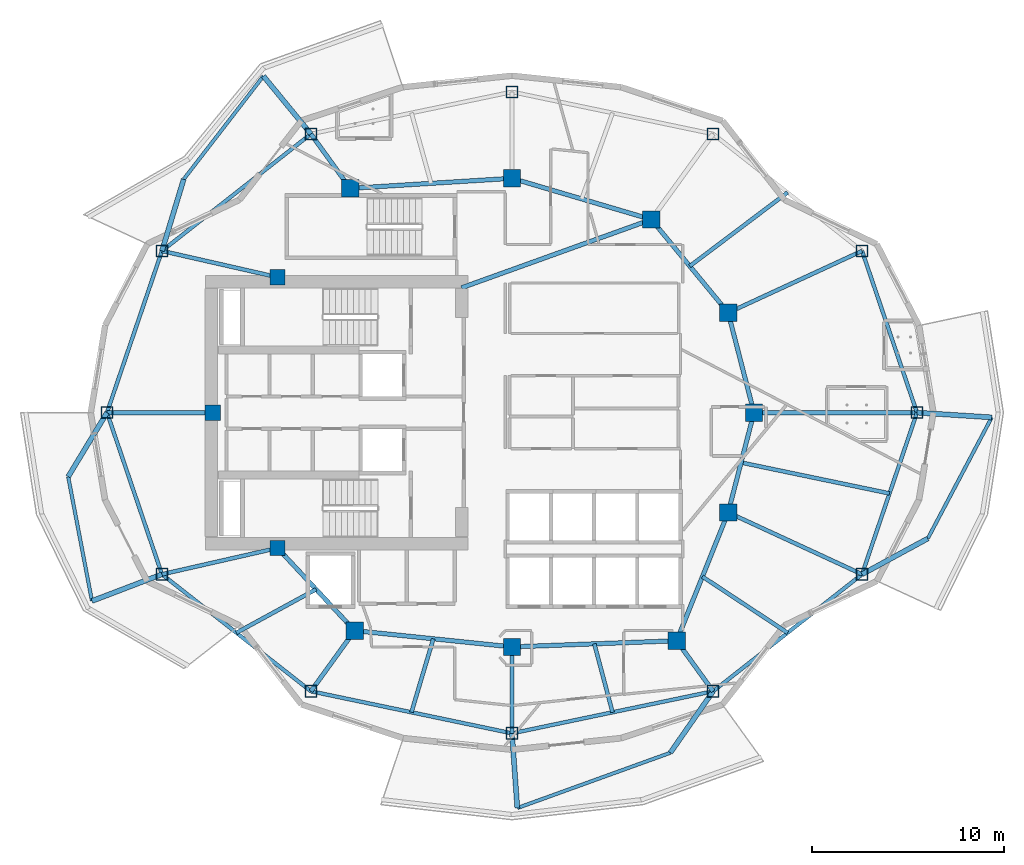
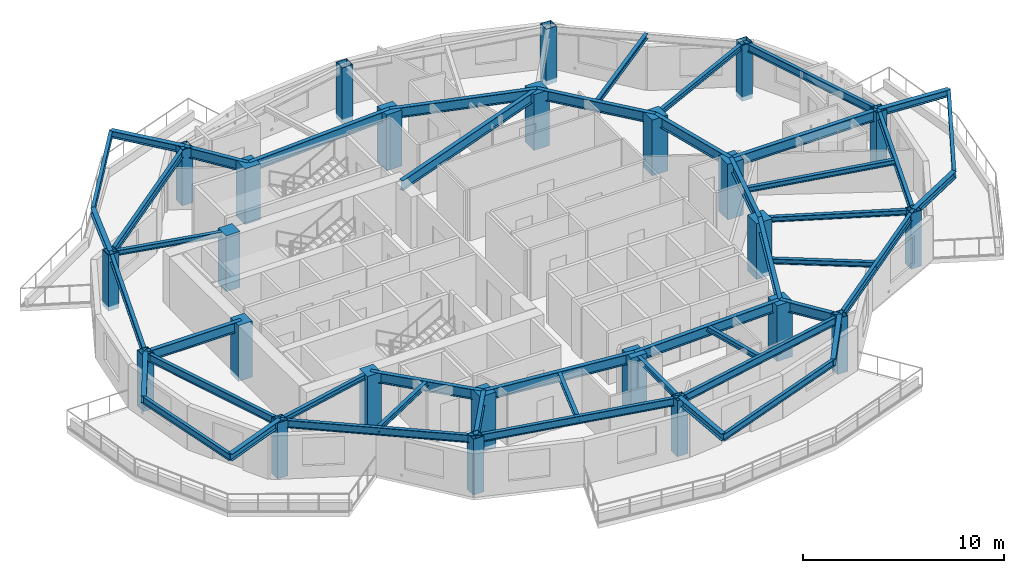
# One storey, part 1 of 14: 47 beams, 24 columns.
"""IFC4 building model written with IfcOpenShell, lengths in metres."""

from ifc_helpers import new_model, si_unit, direction, frame, origin, origin_2d, place, context, subcontext, project, spatial, rectangle, hollow_rectangle, i_section, extrude, material, material_profile, profile_set, type_object, element, save


model = new_model("IFC4")

# Units and contexts
model_context = context("Model", 3, precision=1e-05, world=origin(), true_north=direction((0.0, 1.0)))
body_context = subcontext(model_context, "Body", "Model", "MODEL_VIEW")
ifc_project = project(units=[si_unit("LENGTHUNIT", "METRE"), si_unit("AREAUNIT", "SQUARE_METRE"), si_unit("VOLUMEUNIT", "CUBIC_METRE"), si_unit("PLANEANGLEUNIT", "RADIAN"), si_unit("MASSUNIT", "GRAM", prefix="KILO")], contexts=[model_context])

# Site, building, storey
site_placement = place(None, origin())
site = spatial("IfcSite", under=ifc_project, at=site_placement, CompositionType="ELEMENT")
building_placement = place(site_placement, origin())
building = spatial("IfcBuilding", under=site, at=building_placement, Name="Kolvaren Gate Tower and Convention Centre", CompositionType="ELEMENT")
storey_placement = place(building_placement, frame((0.0, 0.0, 173.300048828125)))
storey = spatial("IfcBuildingStorey", under=building, at=storey_placement, Name="L45", CompositionType="ELEMENT", Elevation=173.300048828125)

# Columns
ifc_material_1 = material(Name="Structural steel ASTM A1085 Grade A 345 MPa", Category="steel")
ifc_material_profile_1 = material_profile(ifc_material_1, hollow_rectangle(XDim=0.610107421875, YDim=0.610107421875, WallThickness=0.025390625, at=origin_2d()), Name="HSS610X610X25.4")
ifc_profile_set_1 = profile_set([ifc_material_profile_1], Name="Structural steel ASTM A1085 Grade A 345 MPa")
column_type_1 = type_object("IfcColumnType", Name="STR-COL-HSS610", PredefinedType="COLUMN", material=ifc_profile_set_1)
for number, where, z_axis, x_axis, name in (
    (1, (51.21240234375, 27.0, -0.27001953125), (0.0, 0.0, 1.0), (1.0, 0.0, 0.0), "Tower L45 Perimeter Supercolumn TP-01"),
    (2, (48.351806640625, 35.418701171875, -0.27001953125), (0.0, 0.0, 1.0), (1.0, 0.0, 0.0), "Tower L45 Perimeter Supercolumn TP-02"),
    (3, (40.596435546875, 41.509521484375, -0.27001953125), (0.0, 0.0, 1.0), (1.0, 0.0, 0.0), "Tower L45 Perimeter Supercolumn TP-03"),
    (4, (30.125, 43.699951171875, -0.27001953125), (0.0, 0.0, 1.0), (1.0, 0.0, 0.0), "Tower L45 Perimeter Supercolumn TP-04"),
    (5, (19.65380859375, 41.509521484375, -0.27001953125), (0.0, 0.0, 1.0), (1.0, 0.0, 0.0), "Tower L45 Perimeter Supercolumn TP-05"),
    (6, (11.898193359375, 35.418701171875, -0.27001953125), (0.0, 0.0, 1.0), (1.0, 0.0, 0.0), "Tower L45 Perimeter Supercolumn TP-06"),
    (7, (9.03759765625, 27.0, -0.27001953125), (0.0, 0.0, 1.0), (1.0, 0.0, 0.0), "Tower L45 Perimeter Supercolumn TP-07"),
    (8, (11.898193359375, 18.581298828125, -0.27001953125), (0.0, 0.0, 1.0), (1.0, 0.0, 0.0), "Tower L45 Perimeter Supercolumn TP-08"),
    (9, (19.653564453125, 12.490478515625, -0.27001953125), (0.0, 0.0, 1.0), (1.0, 0.0, 0.0), "Tower L45 Perimeter Supercolumn TP-09"),
    (10, (30.125, 10.300048828125, -0.27001953125), (0.0, 0.0, 1.0), (1.0, 0.0, 0.0), "Tower L45 Perimeter Supercolumn TP-10"),
    (11, (40.596435546875, 12.490478515625, -0.27001953125), (0.0, 0.0, 1.0), (1.0, 0.0, 0.0), "Tower L45 Perimeter Supercolumn TP-11"),
    (12, (48.351806640625, 18.581298828125, -0.27001953125), (0.0, 0.0, 1.0), (1.0, 0.0, 0.0), "Tower L45 Perimeter Supercolumn TP-12"),
):
    element("IfcColumn", number, at=place(storey_placement, frame(where, z_axis=z_axis, x_axis=x_axis)), inside=storey, type_object=column_type_1, Name=name, PredefinedType="COLUMN", context=body_context, shape_type="SweptSolid", body=[
        extrude(hollow_rectangle(XDim=0.610107421875, YDim=0.610107421875, WallThickness=0.025390625, at=origin_2d()), origin(), (0.0, 0.0, 1.0), 3.39990234375),
    ])
ifc_material_2 = material(Name="Concrete C60/75", Category="concrete")
ifc_material_profile_2 = material_profile(ifc_material_2, rectangle(XDim=0.89990234375, YDim=0.89990234375, at=origin_2d()), Name="RC-COL-900X900")
ifc_profile_set_2 = profile_set([ifc_material_profile_2], Name="Concrete C60/75")
column_type_2 = type_object("IfcColumnType", Name="STR-COL-RC900", PredefinedType="COLUMN", material=ifc_profile_set_2)
for number, where, z_axis, x_axis, name in (
    (13, (42.72509765625, 27.0, -0.27001953125), (0.0, 0.0, 1.0), (1.0, 0.0, 0.0), "Tower L45 Interior Column TI-01"),
    (14, (41.382080078125, 32.199462890625, -0.27001953125), (0.0, 0.0, 1.0), (1.0, 0.0, 0.0), "Tower L45 Interior Column TI-02"),
    (15, (37.381591796875, 37.054931640625, -0.27001953125), (0.0, 0.0, 1.0), (1.0, 0.0, 0.0), "Tower L45 Interior Column TI-03"),
    (16, (30.125, 39.199951171875, -0.27001953125), (0.0, 0.0, 1.0), (1.0, 0.0, 0.0), "Tower L45 Interior Column TI-04"),
    (17, (21.697998046875, 38.6767578125, -0.27001953125), (0.0, 0.0, 1.0), (1.0, 0.0, 0.0), "Tower L45 Interior Column TI-05"),
    (18, (21.93212890625, 15.647705078125, -0.27001953125), (0.0, 0.0, 1.0), (1.0, 0.0, 0.0), "Tower L45 Interior Column TI-06"),
    (19, (30.125, 14.800048828125, -0.27001953125), (0.0, 0.0, 1.0), (1.0, 0.0, 0.0), "Tower L45 Interior Column TI-07"),
    (20, (38.6982421875, 15.12060546875, -0.27001953125), (0.0, 0.0, 1.0), (1.0, 0.0, 0.0), "Tower L45 Interior Column TI-08"),
    (21, (41.382080078125, 21.800537109375, -0.27001953125), (0.0, 0.0, 1.0), (1.0, 0.0, 0.0), "Tower L45 Interior Column TI-09"),
):
    element("IfcColumn", number, at=place(storey_placement, frame(where, z_axis=z_axis, x_axis=x_axis)), inside=storey, type_object=column_type_2, Name=name, PredefinedType="COLUMN", context=body_context, shape_type="SweptSolid", body=[
        extrude(rectangle(XDim=0.89990234375, YDim=0.89990234375, at=origin_2d()), origin(), (0.0, 0.0, 1.0), 3.39990234375),
    ])
ifc_material_profile_3 = material_profile(ifc_material_2, rectangle(XDim=0.800048828125, YDim=0.800048828125, at=origin_2d()), Name="RC-COL-800X800")
ifc_profile_set_3 = profile_set([ifc_material_profile_3], Name="Concrete C60/75")
column_type_3 = type_object("IfcColumnType", Name="STR-PIL-RC800", PredefinedType="PILASTER", material=ifc_profile_set_3)
for number, where, z_axis, x_axis, name in (
    (22, (17.9140625, 34.050048828125, -0.27001953125), (0.0, 0.0, 1.0), (1.0, 0.0, 0.0), "Tower L45 Core Boundary Pilaster TC-05"),
    (23, (14.550048828125, 27.0, -0.27001953125), (0.0, 0.0, 1.0), (1.0, 0.0, 0.0), "Tower L45 Core Boundary Pilaster TC-06"),
    (24, (17.9140625, 19.949951171875, -0.27001953125), (0.0, 0.0, 1.0), (1.0, 0.0, 0.0), "Tower L45 Core Boundary Pilaster TC-07"),
):
    element("IfcColumn", number, at=place(storey_placement, frame(where, z_axis=z_axis, x_axis=x_axis)), inside=storey, type_object=column_type_3, Name=name, PredefinedType="PILASTER", context=body_context, shape_type="SweptSolid", body=[
        extrude(rectangle(XDim=0.800048828125, YDim=0.800048828125, at=origin_2d()), origin(), (0.0, 0.0, 1.0), 3.39990234375),
    ])

# Beams
ifc_material_3 = material(Name="Structural steel ASTM A992 Grade 345 MPa", Category="steel")
ifc_material_profile_4 = material_profile(ifc_material_3, i_section(OverallWidth=0.260009765625, OverallDepth=0.419921875, WebThickness=0.013427734375, FlangeThickness=0.0224609375, at=origin_2d()), Name="W410X132")
ifc_profile_set_4 = profile_set([ifc_material_profile_4], Name="Structural steel ASTM A992 Grade 345 MPa")
beam_type_1 = type_object("IfcBeamType", Name="STR-BM-W410X132", PredefinedType="BEAM", material=ifc_profile_set_4)
beam_1_placement = place(storey_placement, frame((19.65380859375, 41.509521484375, 2.92041015625), z_axis=(-0.634372247597, 0.773027717148, 0.0), x_axis=(-0.773027717148, -0.634372247597, 0.0)))
element("IfcBeam", 25, at=beam_1_placement, inside=storey, type_object=beam_type_1, Name="Tower L46 Planted Balcony Outrigger Cantilever BC-1A", PredefinedType="BEAM", context=body_context, shape_type="SweptSolid", body=[
    extrude(i_section(OverallWidth=0.260009765625, OverallDepth=0.419921875, WebThickness=0.013427734375, FlangeThickness=0.0224609375, at=origin_2d()), origin(), (0.0, 0.0, 1.0), 3.900146484375),
])
for number, where, z_axis, x_axis, name in (
    (26, (11.898193359375, 35.418701171875, 2.92041015625), (0.290155075149, 0.956979640518, 0.0), (-0.956979640518, 0.290155075149, 0.0), "Tower L46 Planted Balcony Outrigger Cantilever BC-1B"),
    (27, (9.03759765625, 27.0, 2.92041015625), (-0.51832946338, -0.855181014401, 0.0), (0.855181014401, -0.51832946338, 0.0), "Tower L46 Planted Balcony Outrigger Cantilever BC-2A"),
    (28, (11.898193359375, 18.581298828125, 2.92041015625), (-0.934406389152, -0.356208786967, 0.0), (0.356208786967, -0.934406389152, 0.0), "Tower L46 Planted Balcony Outrigger Cantilever BC-2B"),
):
    element("IfcBeam", number, at=place(storey_placement, frame(where, z_axis=z_axis, x_axis=x_axis)), inside=storey, type_object=beam_type_1, Name=name, PredefinedType="BEAM", context=body_context, shape_type="SweptSolid", body=[
        extrude(i_section(OverallWidth=0.260009765625, OverallDepth=0.419921875, WebThickness=0.013427734375, FlangeThickness=0.0224609375, at=origin_2d()), origin(), (0.0, 0.0, 1.0), 3.89990234375),
    ])
for number, where, z_axis, x_axis, name in (
    (29, (30.125, 10.300048828125, 2.92041015625), (0.071238152604, -0.997459335318, 0.0), (0.997459335318, 0.071238152604, 0.0), "Tower L46 Planted Balcony Outrigger Cantilever BC-3A"),
    (30, (40.596435546875, 12.490478515625, 2.92041015625), (-0.57084620656, -0.821057006825, 0.0), (0.821057006825, -0.57084620656, 0.0), "Tower L46 Planted Balcony Outrigger Cantilever BC-3B"),
):
    element("IfcBeam", number, at=place(storey_placement, frame(where, z_axis=z_axis, x_axis=x_axis)), inside=storey, type_object=beam_type_1, Name=name, PredefinedType="BEAM", context=body_context, shape_type="SweptSolid", body=[
        extrude(i_section(OverallWidth=0.260009765625, OverallDepth=0.419921875, WebThickness=0.013427734375, FlangeThickness=0.0224609375, at=origin_2d()), origin(), (0.0, 0.0, 1.0), 3.900146484375),
    ])
for number, where, z_axis, x_axis, name in (
    (31, (48.351806640625, 18.581298828125, 2.92041015625), (0.878175335842, 0.47833887519, 0.0), (-0.47833887519, 0.878175335842, 0.0), "Tower L46 Planted Balcony Outrigger Cantilever BC-4A"),
    (32, (51.21240234375, 27.0, 2.92041015625), (0.997967389097, -0.063726684362, 0.0), (0.063726684362, 0.997967389097, 0.0), "Tower L46 Planted Balcony Outrigger Cantilever BC-4B"),
):
    element("IfcBeam", number, at=place(storey_placement, frame(where, z_axis=z_axis, x_axis=x_axis)), inside=storey, type_object=beam_type_1, Name=name, PredefinedType="BEAM", context=body_context, shape_type="SweptSolid", body=[
        extrude(i_section(OverallWidth=0.260009765625, OverallDepth=0.419921875, WebThickness=0.013427734375, FlangeThickness=0.0224609375, at=origin_2d()), origin(), (0.0, 0.0, 1.0), 3.89990234375),
    ])
ifc_material_profile_5 = material_profile(ifc_material_3, i_section(OverallWidth=0.22998046875, OverallDepth=0.616943359375, WebThickness=0.01318359375, FlangeThickness=0.022216796875, at=origin_2d()), Name="W610X140")
ifc_profile_set_5 = profile_set([ifc_material_profile_5], Name="Structural steel ASTM A992 Grade 345 MPa")
beam_type_2 = type_object("IfcBeamType", Name="STR-BM-W610X140", PredefinedType="BEAM", material=ifc_profile_set_5)
beam_2_placement = place(storey_placement, frame((42.72509765625, 27.0, 2.821533203125), z_axis=(-0.250091133936, -0.968222301296, 0.0), x_axis=(0.968222301296, -0.250091133936, 0.0)))
element("IfcBeam", 33, at=beam_2_placement, inside=storey, type_object=beam_type_2, Name="Tower L45 Primary Ring Girder G-01", PredefinedType="BEAM", context=body_context, shape_type="SweptSolid", body=[
    extrude(i_section(OverallWidth=0.22998046875, OverallDepth=0.616943359375, WebThickness=0.01318359375, FlangeThickness=0.022216796875, at=origin_2d()), origin(), (0.0, 0.0, 1.0), 5.3701171875),
])
beam_3_placement = place(storey_placement, frame((41.382080078125, 32.199462890625, 2.821533203125), z_axis=(-0.635884066011, 0.771784590798, 0.0), x_axis=(-0.771784590798, -0.635884066011, 0.0)))
element("IfcBeam", 34, at=beam_3_placement, inside=storey, type_object=beam_type_2, Name="Tower L45 Primary Ring Girder G-02", PredefinedType="BEAM", context=body_context, shape_type="SweptSolid", body=[
    extrude(i_section(OverallWidth=0.22998046875, OverallDepth=0.616943359375, WebThickness=0.01318359375, FlangeThickness=0.022216796875, at=origin_2d()), origin(), (0.0, 0.0, 1.0), 6.291259765625),
])
beam_4_placement = place(storey_placement, frame((37.381591796875, 37.054931640625, 2.821533203125), z_axis=(-0.958980837827, 0.283470902706, 0.0), x_axis=(-0.283470902706, -0.958980837827, 0.0)))
element("IfcBeam", 35, at=beam_4_placement, inside=storey, type_object=beam_type_2, Name="Tower L45 Primary Ring Girder G-03", PredefinedType="BEAM", context=body_context, shape_type="SweptSolid", body=[
    extrude(i_section(OverallWidth=0.22998046875, OverallDepth=0.616943359375, WebThickness=0.01318359375, FlangeThickness=0.022216796875, at=origin_2d()), origin(), (0.0, 0.0, 1.0), 7.56689453125),
])
beam_5_placement = place(storey_placement, frame((30.125, 39.199951171875, 2.821533203125), z_axis=(-0.998078258568, -0.06196603726, 0.0), x_axis=(0.06196603726, -0.998078258568, 0.0)))
element("IfcBeam", 36, at=beam_5_placement, inside=storey, type_object=beam_type_2, Name="Tower L45 Primary Ring Girder G-04", PredefinedType="BEAM", context=body_context, shape_type="SweptSolid", body=[
    extrude(i_section(OverallWidth=0.22998046875, OverallDepth=0.616943359375, WebThickness=0.01318359375, FlangeThickness=0.022216796875, at=origin_2d()), origin(), (0.0, 0.0, 1.0), 8.443115234375),
])
beam_6_placement = place(storey_placement, frame((17.9140625, 19.949951171875, 2.821533203125), z_axis=(0.682557592987, -0.730831808459, 0.0), x_axis=(0.730831808459, 0.682557592987, 0.0)))
element("IfcBeam", 37, at=beam_6_placement, inside=storey, type_object=beam_type_2, Name="Tower L45 Primary Ring Girder G-06", PredefinedType="BEAM", context=body_context, shape_type="SweptSolid", body=[
    extrude(i_section(OverallWidth=0.22998046875, OverallDepth=0.616943359375, WebThickness=0.01318359375, FlangeThickness=0.022216796875, at=origin_2d()), origin(), (0.0, 0.0, 1.0), 5.88671875),
])
beam_7_placement = place(storey_placement, frame((21.93212890625, 15.647705078125, 2.821533203125), z_axis=(0.994690329115, -0.102913308978, 0.0), x_axis=(0.102913308978, 0.994690329115, 0.0)))
element("IfcBeam", 38, at=beam_7_placement, inside=storey, type_object=beam_type_2, Name="Tower L45 Primary Ring Girder G-07", PredefinedType="BEAM", context=body_context, shape_type="SweptSolid", body=[
    extrude(i_section(OverallWidth=0.22998046875, OverallDepth=0.616943359375, WebThickness=0.01318359375, FlangeThickness=0.022216796875, at=origin_2d()), origin(), (0.0, 0.0, 1.0), 8.236572265625),
])
beam_8_placement = place(storey_placement, frame((30.125, 14.800048828125, 2.821533203125), z_axis=(0.999301712453, 0.037364254142, 0.0), x_axis=(-0.037364254142, 0.999301712453, 0.0)))
element("IfcBeam", 39, at=beam_8_placement, inside=storey, type_object=beam_type_2, Name="Tower L45 Primary Ring Girder G-08", PredefinedType="BEAM", context=body_context, shape_type="SweptSolid", body=[
    extrude(i_section(OverallWidth=0.22998046875, OverallDepth=0.616943359375, WebThickness=0.01318359375, FlangeThickness=0.022216796875, at=origin_2d()), origin(), (0.0, 0.0, 1.0), 8.579345703125),
])
beam_9_placement = place(storey_placement, frame((38.6982421875, 15.12060546875, 2.821533203125), z_axis=(0.372811100169, 0.927907260232, 0.0), x_axis=(-0.927907260232, 0.372811100169, 0.0)))
element("IfcBeam", 40, at=beam_9_placement, inside=storey, type_object=beam_type_2, Name="Tower L45 Primary Ring Girder G-09", PredefinedType="BEAM", context=body_context, shape_type="SweptSolid", body=[
    extrude(i_section(OverallWidth=0.22998046875, OverallDepth=0.616943359375, WebThickness=0.01318359375, FlangeThickness=0.022216796875, at=origin_2d()), origin(), (0.0, 0.0, 1.0), 7.198974609375),
])
beam_10_placement = place(storey_placement, frame((27.5, 33.5, 2.821533203125), z_axis=(0.940961479908, 0.338513653093, 0.0), x_axis=(-0.338513653093, 0.940961479908, 0.0)))
element("IfcBeam", 41, at=beam_10_placement, inside=storey, type_object=beam_type_2, Name="Tower L45 Primary Ring Girder G-10", PredefinedType="BEAM", context=body_context, shape_type="SweptSolid", body=[
    extrude(i_section(OverallWidth=0.22998046875, OverallDepth=0.616943359375, WebThickness=0.01318359375, FlangeThickness=0.022216796875, at=origin_2d()), origin(), (0.0, 0.0, 1.0), 10.501708984375),
])
beam_11_placement = place(storey_placement, frame((42.72509765625, 27.0, 2.821533203125), z_axis=(-0.250091133936, 0.968222301296, 0.0), x_axis=(-0.968222301296, -0.250091133936, 0.0)))
element("IfcBeam", 42, at=beam_11_placement, inside=storey, type_object=beam_type_2, Name="Tower L45 Primary Ring Girder G-12", PredefinedType="BEAM", context=body_context, shape_type="SweptSolid", body=[
    extrude(i_section(OverallWidth=0.22998046875, OverallDepth=0.616943359375, WebThickness=0.01318359375, FlangeThickness=0.022216796875, at=origin_2d()), origin(), (0.0, 0.0, 1.0), 5.3701171875),
])
beam_12_placement = place(storey_placement, frame((42.72509765625, 27.0, 2.821533203125), z_axis=(1.0, 0.0, 0.0), x_axis=(0.0, 1.0, 0.0)))
element("IfcBeam", 43, at=beam_12_placement, inside=storey, type_object=beam_type_2, Name="Tower L45 Radial Floor Girder RB-01", PredefinedType="BEAM", context=body_context, shape_type="SweptSolid", body=[
    extrude(i_section(OverallWidth=0.22998046875, OverallDepth=0.616943359375, WebThickness=0.01318359375, FlangeThickness=0.022216796875, at=origin_2d()), origin(), (0.0, 0.0, 1.0), 8.4873046875),
])
beam_13_placement = place(storey_placement, frame((21.697998046875, 38.6767578125, 2.821533203125), z_axis=(-0.585171547435, 0.810909526441, 0.0), x_axis=(-0.810909526441, -0.585171547435, 0.0)))
element("IfcBeam", 44, at=beam_13_placement, inside=storey, type_object=beam_type_2, Name="Tower L45 Radial Floor Girder RB-05", PredefinedType="BEAM", context=body_context, shape_type="SweptSolid", body=[
    extrude(i_section(OverallWidth=0.22998046875, OverallDepth=0.616943359375, WebThickness=0.01318359375, FlangeThickness=0.022216796875, at=origin_2d()), origin(), (0.0, 0.0, 1.0), 3.493408203125),
])
beam_14_placement = place(storey_placement, frame((14.550048828125, 27.0, 2.821533203125), z_axis=(-1.0, 0.0, 0.0), x_axis=(0.0, -1.0, 0.0)))
element("IfcBeam", 45, at=beam_14_placement, inside=storey, type_object=beam_type_2, Name="Tower L45 Radial Floor Girder RB-07", PredefinedType="BEAM", context=body_context, shape_type="SweptSolid", body=[
    extrude(i_section(OverallWidth=0.22998046875, OverallDepth=0.616943359375, WebThickness=0.01318359375, FlangeThickness=0.022216796875, at=origin_2d()), origin(), (0.0, 0.0, 1.0), 5.512451171875),
])
beam_15_placement = place(storey_placement, frame((21.93212890625, 15.647705078125, 2.821533203125), z_axis=(-0.585211215329, -0.810880899672, 0.0), x_axis=(0.810880899672, -0.585211215329, 0.0)))
element("IfcBeam", 46, at=beam_15_placement, inside=storey, type_object=beam_type_2, Name="Tower L45 Radial Floor Girder RB-09", PredefinedType="BEAM", context=body_context, shape_type="SweptSolid", body=[
    extrude(i_section(OverallWidth=0.22998046875, OverallDepth=0.616943359375, WebThickness=0.01318359375, FlangeThickness=0.022216796875, at=origin_2d()), origin(), (0.0, 0.0, 1.0), 3.8935546875),
])
beam_16_placement = place(storey_placement, frame((38.6982421875, 15.12060546875, 2.821533203125), z_axis=(0.58521845229, -0.810875676722, 0.0), x_axis=(0.810875676722, 0.58521845229, 0.0)))
element("IfcBeam", 47, at=beam_16_placement, inside=storey, type_object=beam_type_2, Name="Tower L45 Radial Floor Girder RB-11", PredefinedType="BEAM", context=body_context, shape_type="SweptSolid", body=[
    extrude(i_section(OverallWidth=0.22998046875, OverallDepth=0.616943359375, WebThickness=0.01318359375, FlangeThickness=0.022216796875, at=origin_2d()), origin(), (0.0, 0.0, 1.0), 3.24365234375),
])
ifc_material_profile_6 = material_profile(ifc_material_3, i_section(OverallWidth=0.205078125, OverallDepth=0.31005859375, WebThickness=0.009521484375, FlangeThickness=0.016357421875, at=origin_2d()), Name="W310X74")
ifc_profile_set_6 = profile_set([ifc_material_profile_6], Name="Structural steel ASTM A992 Grade 345 MPa")
beam_type_3 = type_object("IfcBeamType", Name="STR-JS-W310X74", PredefinedType="JOIST", material=ifc_profile_set_6)
beam_17_placement = place(storey_placement, frame((41.382080078125, 32.199462890625, 2.974853515625), z_axis=(0.907838349939, 0.419320319542, 0.0), x_axis=(-0.419320319542, 0.907838349939, 0.0)))
element("IfcBeam", 48, at=beam_17_placement, inside=storey, type_object=beam_type_3, Name="Tower L45 Radial Floor Girder RB-02", PredefinedType="JOIST", context=body_context, shape_type="SweptSolid", body=[
    extrude(i_section(OverallWidth=0.205078125, OverallDepth=0.31005859375, WebThickness=0.009521484375, FlangeThickness=0.016357421875, at=origin_2d()), origin(), (0.0, 0.0, 1.0), 7.67724609375),
])
for number, where, z_axis, x_axis, name in (
    (49, (17.9140625, 34.050048828125, 2.974853515625), (-0.975083464295, 0.221838314226, 0.0), (-0.221838314226, -0.975083464295, 0.0), "Tower L45 Radial Floor Girder RB-06"),
    (50, (17.9140625, 19.949951171875, 2.974853515625), (-0.975083464295, -0.221838314226, 0.0), (0.221838314226, -0.975083464295, 0.0), "Tower L45 Radial Floor Girder RB-08"),
):
    element("IfcBeam", number, at=place(storey_placement, frame(where, z_axis=z_axis, x_axis=x_axis)), inside=storey, type_object=beam_type_3, Name=name, PredefinedType="JOIST", context=body_context, shape_type="SweptSolid", body=[
        extrude(i_section(OverallWidth=0.205078125, OverallDepth=0.31005859375, WebThickness=0.009521484375, FlangeThickness=0.016357421875, at=origin_2d()), origin(), (0.0, 0.0, 1.0), 6.169677734375),
    ])
beam_18_placement = place(storey_placement, frame((30.125, 14.800048828125, 2.974853515625), z_axis=(0.0, -1.0, 0.0), x_axis=(1.0, 0.0, 0.0)))
element("IfcBeam", 51, at=beam_18_placement, inside=storey, type_object=beam_type_3, Name="Tower L45 Radial Floor Girder RB-10", PredefinedType="JOIST", context=body_context, shape_type="SweptSolid", body=[
    extrude(i_section(OverallWidth=0.205078125, OverallDepth=0.31005859375, WebThickness=0.009521484375, FlangeThickness=0.016357421875, at=origin_2d()), origin(), (0.0, 0.0, 1.0), 4.5),
])
beam_19_placement = place(storey_placement, frame((41.382080078125, 21.800537109375, 2.974853515625), z_axis=(0.907838349939, -0.419320319542, 0.0), x_axis=(0.419320319542, 0.907838349939, 0.0)))
element("IfcBeam", 52, at=beam_19_placement, inside=storey, type_object=beam_type_3, Name="Tower L45 Radial Floor Girder RB-12", PredefinedType="JOIST", context=body_context, shape_type="SweptSolid", body=[
    extrude(i_section(OverallWidth=0.205078125, OverallDepth=0.31005859375, WebThickness=0.009521484375, FlangeThickness=0.016357421875, at=origin_2d()), origin(), (0.0, 0.0, 1.0), 7.67724609375),
])
beam_20_placement = place(storey_placement, frame((39.3818359375, 34.627197265625, 2.974853515625), z_axis=(0.798665513939, 0.601775204577, 0.0), x_axis=(-0.601775204577, 0.798665513939, 0.0)))
element("IfcBeam", 53, at=beam_20_placement, inside=storey, type_object=beam_type_3, Name="Tower L45 Secondary Composite Floor Joist J-02.1", PredefinedType="JOIST", context=body_context, shape_type="SweptSolid", body=[
    extrude(i_section(OverallWidth=0.205078125, OverallDepth=0.31005859375, WebThickness=0.009521484375, FlangeThickness=0.016357421875, at=origin_2d()), origin(), (0.0, 0.0, 1.0), 6.3759765625),
])
beam_21_placement = place(storey_placement, frame((19.923095703125, 17.798828125, 2.974853515625), z_axis=(-0.877822491981, -0.478986088078, 0.0), x_axis=(0.478986088078, -0.877822491981, 0.0)))
element("IfcBeam", 54, at=beam_21_placement, inside=storey, type_object=beam_type_3, Name="Tower L45 Secondary Composite Floor Joist J-08.1", PredefinedType="JOIST", context=body_context, shape_type="SweptSolid", body=[
    extrude(i_section(OverallWidth=0.205078125, OverallDepth=0.31005859375, WebThickness=0.009521484375, FlangeThickness=0.016357421875, at=origin_2d()), origin(), (0.0, 0.0, 1.0), 4.724365234375),
])
beam_22_placement = place(storey_placement, frame((26.028564453125, 15.223876953125, 2.974853515625), z_axis=(-0.28518274301, -0.958473162425, 0.0), x_axis=(0.958473162425, -0.28518274301, 0.0)))
element("IfcBeam", 55, at=beam_22_placement, inside=storey, type_object=beam_type_3, Name="Tower L45 Secondary Composite Floor Joist J-09.1", PredefinedType="JOIST", context=body_context, shape_type="SweptSolid", body=[
    extrude(i_section(OverallWidth=0.205078125, OverallDepth=0.31005859375, WebThickness=0.009521484375, FlangeThickness=0.016357421875, at=origin_2d()), origin(), (0.0, 0.0, 1.0), 3.994384765625),
])
beam_23_placement = place(storey_placement, frame((34.41162109375, 14.960205078125, 2.974853515625), z_axis=(0.257238365181, -0.966347982602, 0.0), x_axis=(0.966347982602, 0.257238365181, 0.0)))
element("IfcBeam", 56, at=beam_23_placement, inside=storey, type_object=beam_type_3, Name="Tower L45 Secondary Composite Floor Joist J-10.1", PredefinedType="JOIST", context=body_context, shape_type="SweptSolid", body=[
    extrude(i_section(OverallWidth=0.205078125, OverallDepth=0.31005859375, WebThickness=0.009521484375, FlangeThickness=0.016357421875, at=origin_2d()), origin(), (0.0, 0.0, 1.0), 3.68896484375),
])
beam_24_placement = place(storey_placement, frame((40.040283203125, 18.46044921875, 2.974853515625), z_axis=(0.834762790112, -0.550609738602, 0.0), x_axis=(0.550609738602, 0.834762790112, 0.0)))
element("IfcBeam", 57, at=beam_24_placement, inside=storey, type_object=beam_type_3, Name="Tower L45 Secondary Composite Floor Joist J-11.1", PredefinedType="JOIST", context=body_context, shape_type="SweptSolid", body=[
    extrude(i_section(OverallWidth=0.205078125, OverallDepth=0.31005859375, WebThickness=0.009521484375, FlangeThickness=0.016357421875, at=origin_2d()), origin(), (0.0, 0.0, 1.0), 5.3115234375),
])
beam_25_placement = place(storey_placement, frame((42.0537109375, 24.400146484375, 2.974853515625), z_axis=(0.978997655145, -0.203871506641, 0.0), x_axis=(0.203871506641, 0.978997655145, 0.0)))
element("IfcBeam", 58, at=beam_25_placement, inside=storey, type_object=beam_type_3, Name="Tower L45 Secondary Composite Floor Joist J-12.1", PredefinedType="JOIST", context=body_context, shape_type="SweptSolid", body=[
    extrude(i_section(OverallWidth=0.205078125, OverallDepth=0.31005859375, WebThickness=0.009521484375, FlangeThickness=0.016357421875, at=origin_2d()), origin(), (0.0, 0.0, 1.0), 7.89404296875),
])
ifc_material_profile_7 = material_profile(ifc_material_3, i_section(OverallWidth=0.180908203125, OverallDepth=0.4169921875, WebThickness=0.010986328125, FlangeThickness=0.018310546875, at=origin_2d()), Name="W410X85")
ifc_profile_set_7 = profile_set([ifc_material_profile_7], Name="Structural steel ASTM A992 Grade 345 MPa")
beam_type_4 = type_object("IfcBeamType", Name="STR-SP-W410X85", PredefinedType="SPANDREL", material=ifc_profile_set_7)
beam_26_placement = place(storey_placement, frame((17.1796875, 44.5244140625, 2.921875), z_axis=(-0.611228468279, -0.791454205602, 0.0), x_axis=(0.791454205602, -0.611228468279, 0.0)))
element("IfcBeam", 59, at=beam_26_placement, inside=storey, type_object=beam_type_4, Name="Tower L46 Planted Balcony Header Tie Beam BT-1", PredefinedType="SPANDREL", context=body_context, shape_type="SweptSolid", body=[
    extrude(i_section(OverallWidth=0.180908203125, OverallDepth=0.4169921875, WebThickness=0.010986328125, FlangeThickness=0.018310546875, at=origin_2d()), origin(), (0.0, 0.0, 1.0), 6.78955078125),
])
beam_27_placement = place(storey_placement, frame((7.01611328125, 23.664794921875, 2.921875), z_axis=(0.187866209954, -0.982194627942, 0.0), x_axis=(0.982194627942, 0.187866209954, 0.0)))
element("IfcBeam", 60, at=beam_27_placement, inside=storey, type_object=beam_type_4, Name="Tower L46 Planted Balcony Header Tie Beam BT-2", PredefinedType="SPANDREL", context=body_context, shape_type="SweptSolid", body=[
    extrude(i_section(OverallWidth=0.180908203125, OverallDepth=0.4169921875, WebThickness=0.010986328125, FlangeThickness=0.018310546875, at=origin_2d()), origin(), (0.0, 0.0, 1.0), 6.590087890625),
])
beam_28_placement = place(storey_placement, frame((30.40283203125, 6.409912109375, 2.921875), z_axis=(0.940503253062, 0.339784683263, 0.0), x_axis=(-0.339784683263, 0.940503253062, 0.0)))
element("IfcBeam", 61, at=beam_28_placement, inside=storey, type_object=beam_type_4, Name="Tower L46 Planted Balcony Header Tie Beam BT-3", PredefinedType="SPANDREL", context=body_context, shape_type="SweptSolid", body=[
    extrude(i_section(OverallWidth=0.180908203125, OverallDepth=0.4169921875, WebThickness=0.010986328125, FlangeThickness=0.018310546875, at=origin_2d()), origin(), (0.0, 0.0, 1.0), 8.47119140625),
])
beam_29_placement = place(storey_placement, frame((51.776611328125, 20.44677734375, 2.921875), z_axis=(0.466803260322, 0.884361191003, 0.0), x_axis=(-0.884361191003, 0.466803260322, 0.0)))
element("IfcBeam", 62, at=beam_29_placement, inside=storey, type_object=beam_type_4, Name="Tower L46 Planted Balcony Header Tie Beam BT-4", PredefinedType="SPANDREL", context=body_context, shape_type="SweptSolid", body=[
    extrude(i_section(OverallWidth=0.180908203125, OverallDepth=0.4169921875, WebThickness=0.010986328125, FlangeThickness=0.018310546875, at=origin_2d()), origin(), (0.0, 0.0, 1.0), 7.129150390625),
])
ifc_material_profile_8 = material_profile(ifc_material_3, i_section(OverallWidth=0.194091796875, OverallDepth=0.468994140625, WebThickness=0.0126953125, FlangeThickness=0.0205078125, at=origin_2d()), Name="W460X106")
ifc_profile_set_8 = profile_set([ifc_material_profile_8], Name="Structural steel ASTM A992 Grade 345 MPa")
beam_type_5 = type_object("IfcBeamType", Name="STR-SP-W460X106", PredefinedType="SPANDREL", material=ifc_profile_set_8)
beam_30_placement = place(storey_placement, frame((51.21240234375, 27.0, 2.8955078125), z_axis=(-0.321725023609, 0.946833147489, 0.0), x_axis=(-0.946833147489, -0.321725023609, 0.0)))
element("IfcBeam", 63, at=beam_30_placement, inside=storey, type_object=beam_type_5, Name="Tower L45 Perimeter Spandrel Beam SP-01", PredefinedType="SPANDREL", context=body_context, shape_type="SweptSolid", body=[
    extrude(i_section(OverallWidth=0.194091796875, OverallDepth=0.468994140625, WebThickness=0.0126953125, FlangeThickness=0.0205078125, at=origin_2d()), origin(), (0.0, 0.0, 1.0), 8.891357421875),
])
beam_31_placement = place(storey_placement, frame((19.65380859375, 41.509521484375, 2.8955078125), z_axis=(-0.786460066421, -0.617641128752, 0.0), x_axis=(0.617641128752, -0.786460066421, 0.0)))
element("IfcBeam", 64, at=beam_31_placement, inside=storey, type_object=beam_type_5, Name="Tower L45 Perimeter Spandrel Beam SP-05", PredefinedType="SPANDREL", context=body_context, shape_type="SweptSolid", body=[
    extrude(i_section(OverallWidth=0.194091796875, OverallDepth=0.468994140625, WebThickness=0.0126953125, FlangeThickness=0.0205078125, at=origin_2d()), origin(), (0.0, 0.0, 1.0), 9.861328125),
])
for number, where, z_axis, x_axis, name in (
    (65, (11.898193359375, 35.418701171875, 2.8955078125), (-0.321725023609, -0.946833147489, 0.0), (0.946833147489, -0.321725023609, 0.0), "Tower L45 Perimeter Spandrel Beam SP-06"),
    (66, (9.03759765625, 27.0, 2.8955078125), (0.321725023609, -0.946833147489, 0.0), (0.946833147489, 0.321725023609, 0.0), "Tower L45 Perimeter Spandrel Beam SP-07"),
):
    element("IfcBeam", number, at=place(storey_placement, frame(where, z_axis=z_axis, x_axis=x_axis)), inside=storey, type_object=beam_type_5, Name=name, PredefinedType="SPANDREL", context=body_context, shape_type="SweptSolid", body=[
        extrude(i_section(OverallWidth=0.194091796875, OverallDepth=0.468994140625, WebThickness=0.0126953125, FlangeThickness=0.0205078125, at=origin_2d()), origin(), (0.0, 0.0, 1.0), 8.891357421875),
    ])
beam_32_placement = place(storey_placement, frame((11.898193359375, 18.581298828125, 2.8955078125), z_axis=(0.786450621777, -0.617653154697, 0.0), x_axis=(0.617653154697, 0.786450621777, 0.0)))
element("IfcBeam", 67, at=beam_32_placement, inside=storey, type_object=beam_type_5, Name="Tower L45 Perimeter Spandrel Beam SP-08", PredefinedType="SPANDREL", context=body_context, shape_type="SweptSolid", body=[
    extrude(i_section(OverallWidth=0.194091796875, OverallDepth=0.468994140625, WebThickness=0.0126953125, FlangeThickness=0.0205078125, at=origin_2d()), origin(), (0.0, 0.0, 1.0), 9.861328125),
])
for number, where, z_axis, x_axis, name in (
    (68, (19.653564453125, 12.490478515625, 2.8955078125), (0.978814350133, -0.204749769168, 0.0), (0.204749769168, 0.978814350133, 0.0), "Tower L45 Perimeter Spandrel Beam SP-09"),
    (69, (30.125, 10.300048828125, 2.8955078125), (0.978814350133, 0.204749769168, 0.0), (-0.204749769168, 0.978814350133, 0.0), "Tower L45 Perimeter Spandrel Beam SP-10"),
):
    element("IfcBeam", number, at=place(storey_placement, frame(where, z_axis=z_axis, x_axis=x_axis)), inside=storey, type_object=beam_type_5, Name=name, PredefinedType="SPANDREL", context=body_context, shape_type="SweptSolid", body=[
        extrude(i_section(OverallWidth=0.194091796875, OverallDepth=0.468994140625, WebThickness=0.0126953125, FlangeThickness=0.0205078125, at=origin_2d()), origin(), (0.0, 0.0, 1.0), 10.697998046875),
    ])
beam_33_placement = place(storey_placement, frame((40.596435546875, 12.490478515625, 2.8955078125), z_axis=(0.786450621777, 0.617653154697, 0.0), x_axis=(-0.617653154697, 0.786450621777, 0.0)))
element("IfcBeam", 70, at=beam_33_placement, inside=storey, type_object=beam_type_5, Name="Tower L45 Perimeter Spandrel Beam SP-11", PredefinedType="SPANDREL", context=body_context, shape_type="SweptSolid", body=[
    extrude(i_section(OverallWidth=0.194091796875, OverallDepth=0.468994140625, WebThickness=0.0126953125, FlangeThickness=0.0205078125, at=origin_2d()), origin(), (0.0, 0.0, 1.0), 9.861328125),
])
beam_34_placement = place(storey_placement, frame((48.351806640625, 18.581298828125, 2.8955078125), z_axis=(0.321725023609, 0.946833147489, 0.0), x_axis=(-0.946833147489, 0.321725023609, 0.0)))
element("IfcBeam", 71, at=beam_34_placement, inside=storey, type_object=beam_type_5, Name="Tower L45 Perimeter Spandrel Beam SP-12", PredefinedType="SPANDREL", context=body_context, shape_type="SweptSolid", body=[
    extrude(i_section(OverallWidth=0.194091796875, OverallDepth=0.468994140625, WebThickness=0.0126953125, FlangeThickness=0.0205078125, at=origin_2d()), origin(), (0.0, 0.0, 1.0), 8.891357421875),
])

save(model, "model.ifc")
